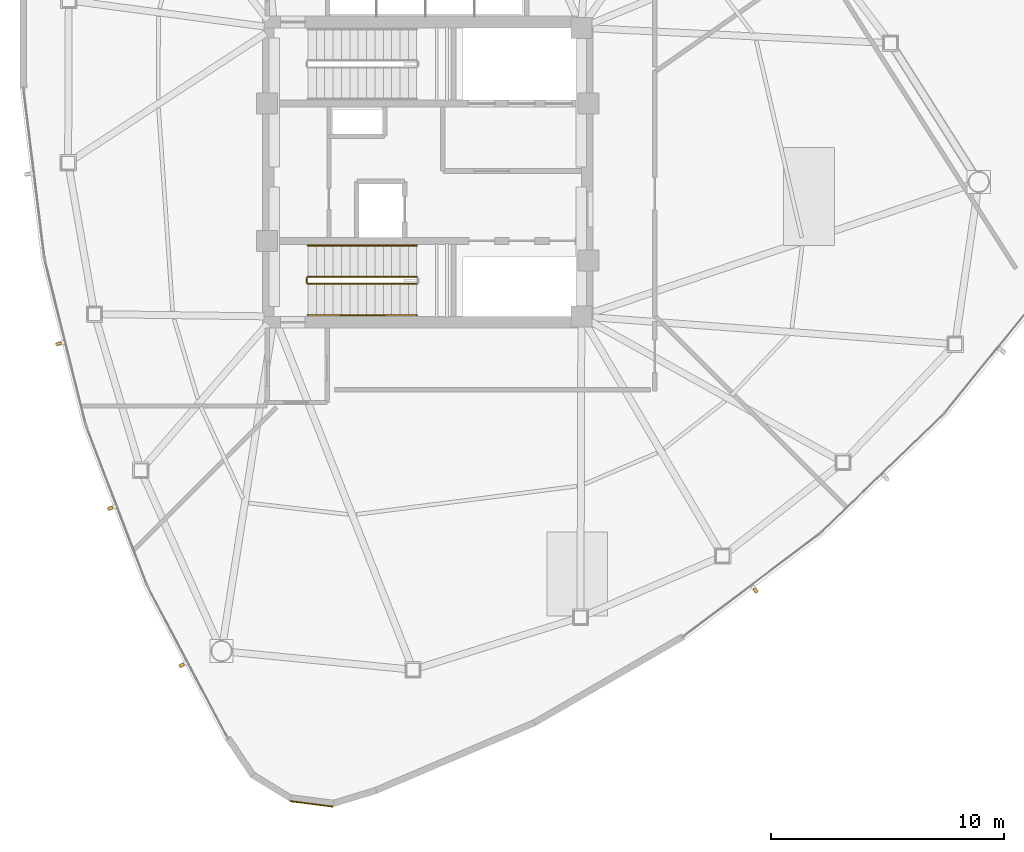
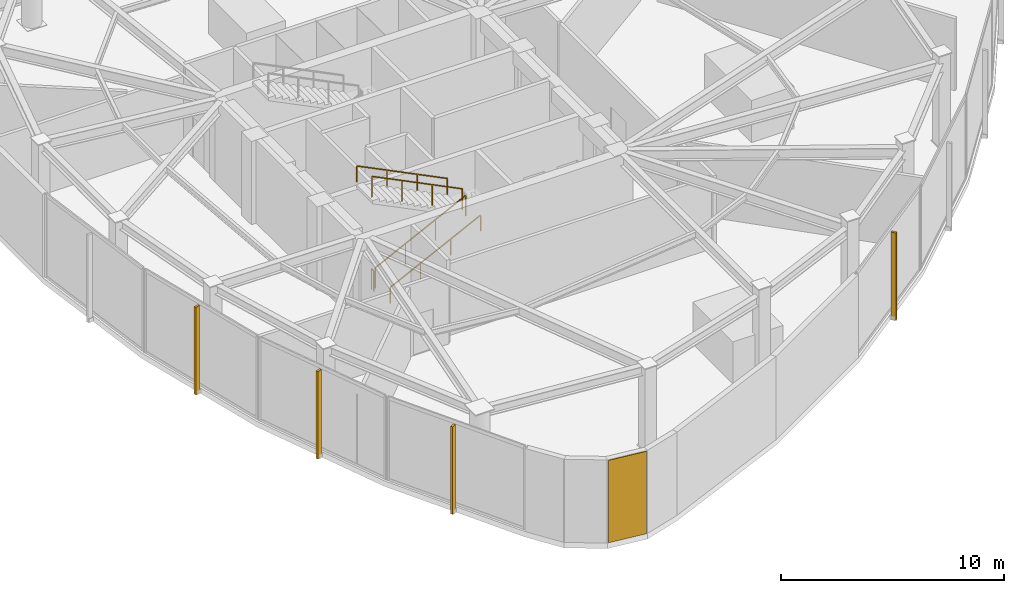
# One storey, part 13 of 17: 5 railings, 4 shading devices, 1 covering.
"""IFC4 building model written with IfcOpenShell, lengths in metres."""

import ifcopenshell
import ifcopenshell.guid

model = None  # the IFC model being written
_history = None  # IfcOwnerHistory: only IFC2X3 demands one
_inside = {}  # id of a spatial element -> (the spatial element, [elements in it])
_under = {}  # id of a project, library or spatial element -> (it, [spatial elements below it])
_declared = {}  # id of a project -> (the project, [libraries it declares])
_typed = {}  # id of a type object -> (the type object, [elements of that type])
_made_of = {}  # id of a material, layer set ... -> (it, [elements and type objects made of it])


def new_model(schema):
    """Start an empty IFC model of exactly this schema.

    Asked for "IFC4X3", IfcOpenShell would pick the latest addendum, in which some entities
    have other attributes; the version numbers below select the first issue.
    IFC2X3 requires an IfcOwnerHistory on every rooted entity: one is made here for all.
    """
    global model, _history
    if schema == "IFC4X3":
        model = ifcopenshell.file(schema_version=(4, 3, 0, 0))
    else:
        model = ifcopenshell.file(schema=schema)
    _inside.clear()
    _under.clear()
    _declared.clear()
    _typed.clear()
    _made_of.clear()
    _history = None
    if model.schema == "IFC2X3":
        org = make("IfcOrganization", Name="unknown")
        user = make(
            "IfcPersonAndOrganization",
            ThePerson=make("IfcPerson", FamilyName="unknown"),
            TheOrganization=org,
        )
        app = make(
            "IfcApplication",
            ApplicationDeveloper=org,
            Version="unknown",
            ApplicationFullName="unknown",
            ApplicationIdentifier="unknown",
        )
        _history = make(
            "IfcOwnerHistory",
            OwningUser=user,
            OwningApplication=app,
            ChangeAction="ADDED",
            CreationDate=0,
        )
    return model


def make(cls, **values):
    """One entity of the class cls with the attributes given. An attribute that is None is left unset."""
    return model.create_entity(
        cls, **{name: value for name, value in values.items() if value is not None}
    )


def rooted(cls, **values):
    """An entity with a GlobalId (a new one), such as an element, a storey or a relation."""
    return make(cls, GlobalId=ifcopenshell.guid.new(), OwnerHistory=_history, **values)


def si_unit(unit_type, name, prefix=None):
    """IfcSIUnit, for example si_unit("LENGTHUNIT", "METRE", prefix="MILLI")."""
    return make("IfcSIUnit", UnitType=unit_type, Prefix=prefix, Name=name)


def assignment(units):
    """IfcUnitAssignment: the units of a project."""
    return None if units is None else make("IfcUnitAssignment", Units=units)


def point(xyz):
    """IfcCartesianPoint."""
    return None if xyz is None else make("IfcCartesianPoint", Coordinates=xyz)


def direction(xyz):
    """IfcDirection."""
    return None if xyz is None else make("IfcDirection", DirectionRatios=xyz)


def frame(location, z_axis=None, x_axis=None):
    """IfcAxis2Placement3D, a coordinate frame: its origin and axes. An axis left out is left unset."""
    return make(
        "IfcAxis2Placement3D",
        Location=point(location),
        Axis=direction(z_axis),
        RefDirection=direction(x_axis),
    )


def frame_2d(location, x_axis=None):
    """IfcAxis2Placement2D, a coordinate frame in the plane: its origin and x axis."""
    return make(
        "IfcAxis2Placement2D", Location=point(location), RefDirection=direction(x_axis)
    )


def origin():
    """The frame at (0, 0, 0) with its axes left unset."""
    return frame((0.0, 0.0, 0.0))


def origin_2d():
    """The frame at (0, 0) in the plane with its x axis left unset."""
    return frame_2d((0.0, 0.0))


def place(relative_to, where):
    """IfcLocalPlacement: puts the frame where relative to a parent placement (None: the world)."""
    return make(
        "IfcLocalPlacement", PlacementRelTo=relative_to, RelativePlacement=where
    )


def context(
    kind, dimensions, precision=None, world=None, true_north=None, identifier=None
):
    """IfcGeometricRepresentationContext, for example the 3D "Model" context."""
    return make(
        "IfcGeometricRepresentationContext",
        ContextIdentifier=identifier,
        ContextType=kind,
        CoordinateSpaceDimension=dimensions,
        Precision=precision,
        WorldCoordinateSystem=world,
        TrueNorth=true_north,
    )


def subcontext(parent, identifier, kind, view, scale=None):
    """IfcGeometricRepresentationSubContext, for example "Body" below "Model"."""
    return make(
        "IfcGeometricRepresentationSubContext",
        ContextIdentifier=identifier,
        ContextType=kind,
        ParentContext=parent,
        TargetScale=scale,
        TargetView=view,
    )


def project(units=None, contexts=None):
    """IfcProject with its units and contexts."""
    return rooted(
        "IfcProject",
        Name="project",
        RepresentationContexts=contexts,
        UnitsInContext=assignment(units),
    )


def spatial(cls, under=None, at=None, **own):
    """A site, building, storey or space (cls), placed at a placement, below another one or the project."""
    s = rooted(cls, ObjectPlacement=at, **own)
    if under is not None:
        _under.setdefault(under.id(), (under, []))[1].append(s)
    return s


def profile(cls, at=None, kind="AREA", **sizes):
    """A parametric profile (cls). Its sizes go by their IFC names, for example OverallWidth=200.0."""
    return make(cls, ProfileType=kind, Position=at, **sizes)


def rectangle(**sizes):
    """IfcRectangleProfileDef."""
    return profile("IfcRectangleProfileDef", **sizes)


def extrude(swept, where, along, depth):
    """IfcExtrudedAreaSolid: the profile swept, set in the frame where, extruded along a direction by depth."""
    return make(
        "IfcExtrudedAreaSolid",
        SweptArea=swept,
        Position=where,
        ExtrudedDirection=direction(along),
        Depth=depth,
    )


def shape(context_of_items, identifier, shape_type, items):
    """IfcShapeRepresentation: the items that make up one representation, for example the "Body"."""
    return make(
        "IfcShapeRepresentation",
        ContextOfItems=context_of_items,
        RepresentationIdentifier=identifier,
        RepresentationType=shape_type,
        Items=items,
    )


def source(mapping_origin, context_of_items, identifier, shape_type, items):
    """IfcRepresentationMap: a shape defined once, which mapped items show again and again."""
    return make(
        "IfcRepresentationMap",
        MappingOrigin=mapping_origin,
        MappedRepresentation=shape(context_of_items, identifier, shape_type, items),
    )


def transform(
    local_origin,
    x_axis=None,
    y_axis=None,
    z_axis=None,
    scale=None,
    scale2=None,
    scale3=None,
    uniform=True,
):
    """IfcCartesianTransformationOperator3D, or its non-uniform kind. x_axis, y_axis, z_axis: its Axis1, 2, 3."""
    if uniform:
        return make(
            "IfcCartesianTransformationOperator3D",
            Axis1=direction(x_axis),
            Axis2=direction(y_axis),
            LocalOrigin=point(local_origin),
            Scale=scale,
            Axis3=direction(z_axis),
        )
    return make(
        "IfcCartesianTransformationOperator3DnonUniform",
        Axis1=direction(x_axis),
        Axis2=direction(y_axis),
        LocalOrigin=point(local_origin),
        Scale=scale,
        Axis3=direction(z_axis),
        Scale2=scale2,
        Scale3=scale3,
    )


def mapped(mapping_source, mapping_target):
    """IfcMappedItem: shows the shape of a source again, moved by a transform."""
    return make(
        "IfcMappedItem", MappingSource=mapping_source, MappingTarget=mapping_target
    )


def material(Name=None, Category=None):
    """IfcMaterial."""
    return make("IfcMaterial", Name=Name, Category=Category)


def layer(
    of_material, thickness, ventilated=None, Name=None, Category=None, Priority=None
):
    """IfcMaterialLayer: one layer of a wall or slab, of a material (None: an air gap)."""
    return make(
        "IfcMaterialLayer",
        Material=of_material,
        LayerThickness=thickness,
        IsVentilated=ventilated,
        Name=Name,
        Category=Category,
        Priority=Priority,
    )


def layer_set(layers, Name=None):
    """IfcMaterialLayerSet."""
    return make("IfcMaterialLayerSet", MaterialLayers=layers, LayerSetName=Name)


def made_of(thing, what):
    """Note that an element or type object is made of a material, layer set ...; save() writes the relation."""
    if what is not None:
        _made_of.setdefault(what.id(), (what, []))[1].append(thing)
    return thing


def type_object(cls, material=None, **own):
    """A type object (cls), such as IfcWallType, which elements share."""
    return made_of(rooted(cls, **own), material)


def type_shapes(of_type, sources):
    """Give a type object the sources (RepresentationMaps) that its elements show as mapped items."""
    of_type.RepresentationMaps = sources


def element(
    cls,
    number,
    at=None,
    inside=None,
    cuts=None,
    type_object=None,
    material=None,
    context=None,
    identifier="Body",
    shape_type=None,
    held_by="IfcProductDefinitionShape",
    body=None,
    shapes=None,
    **own,
):
    """One element of the class cls, such as IfcWall. Its Tag is "e" and its number.

    at: its placement. inside: the storey or other place that contains it. cuts: it is an
    opening in that element (IfcRelVoidsElement). A single representation is given by context,
    identifier, shape_type and body (its items); several are given by shapes. held_by: the class
    of the entity that holds the representations. save() writes the other relations.
    """
    e = rooted(cls, Tag="e%d" % number, ObjectPlacement=at, **own)
    if body is not None:
        shapes = [shape(context, identifier, shape_type, body)]
    if shapes is not None:
        e.Representation = make(held_by, Representations=shapes)
    if inside is not None:
        _inside.setdefault(inside.id(), (inside, []))[1].append(e)
    if cuts is not None:
        rooted(
            "IfcRelVoidsElement", RelatingBuildingElement=cuts, RelatedOpeningElement=e
        )
    if type_object is not None:
        _typed.setdefault(type_object.id(), (type_object, []))[1].append(e)
    return made_of(e, material)


def aggregate(whole, parts):
    """IfcRelAggregates: a whole, such as a stair, and the parts it consists of."""
    return rooted("IfcRelAggregates", RelatingObject=whole, RelatedObjects=parts)


def save(model, path):
    """Write the relations noted so far, then the file.

    IfcRelAggregates (storeys below a building ...), IfcRelContainedInSpatialStructure (elements
    in a storey), IfcRelDefinesByType, IfcRelAssociatesMaterial and IfcRelDeclares: one each for
    every whole, place, type object, material and project.
    """
    for whole, parts in _under.values():
        aggregate(whole, parts)
    for where, things in _inside.values():
        rooted(
            "IfcRelContainedInSpatialStructure",
            RelatedElements=things,
            RelatingStructure=where,
        )
    for kind, things in _typed.values():
        rooted("IfcRelDefinesByType", RelatedObjects=things, RelatingType=kind)
    for what, things in _made_of.values():
        rooted("IfcRelAssociatesMaterial", RelatedObjects=things, RelatingMaterial=what)
    for by, libraries in _declared.values():
        rooted("IfcRelDeclares", RelatingContext=by, RelatedDefinitions=libraries)
    model.write(path)


model = new_model("IFC4")

# Units and contexts
model_context = context("Model", 3, precision=1e-05, world=origin(), true_north=direction((0.0, 1.0)))
body_context = subcontext(model_context, "Body", "Model", "MODEL_VIEW")
ifc_project = project(units=[si_unit("LENGTHUNIT", "METRE"), si_unit("AREAUNIT", "SQUARE_METRE"), si_unit("VOLUMEUNIT", "CUBIC_METRE"), si_unit("PLANEANGLEUNIT", "RADIAN"), si_unit("MASSUNIT", "GRAM", prefix="KILO")], contexts=[model_context])

# Site, building, storey
site_placement = place(None, origin())
site = spatial("IfcSite", under=ifc_project, at=site_placement, CompositionType="ELEMENT")
building_placement = place(site_placement, origin())
building = spatial("IfcBuilding", under=site, at=building_placement, Name="Tavelor Broadcast Tower", CompositionType="ELEMENT")
storey_placement = place(building_placement, frame((0.0, 0.0, 204.14990234375)))
storey = spatial("IfcBuildingStorey", under=building, at=storey_placement, Name="L49", CompositionType="ELEMENT", Elevation=204.14990234375)

# Covering
ifc_material_1 = material(Name="Copper-Bronze Anodized Aluminium", Category="aluminium")
ifc_layer = layer(ifc_material_1, 0.050048828125)
ifc_layer_set = layer_set([ifc_layer], Name="Copper-Bronze Anodized Aluminium")
covering_type = type_object("IfcCoveringType", Name="Champagne-Bronze Corner Pier Metal Cladding 50 mm", PredefinedType="CLADDING", material=ifc_layer_set)
covering_placement = place(storey_placement, frame((44.99658203125, 17.85693359375, 0.02001953125), z_axis=(0.0, 0.0, 1.0), x_axis=(0.99178318013, -0.127930151302, 0.0)))
element("IfcCovering", 1, at=covering_placement, inside=storey, type_object=covering_type, Name="L49 Champagne-Bronze Corner Cladding 13", PredefinedType="CLADDING", context=body_context, shape_type="SweptSolid", body=[
    extrude(rectangle(XDim=1.844970703125, YDim=0.050048828125, at=origin_2d()), origin(), (0.0, 0.0, 1.0), 4.510009765625),
])

# Railings
ifc_material_2 = material(Name="Steel S355", Category="steel")
railing_type_1 = type_object("IfcRailingType", Name="Continuous Brushed Stainless Handrail 900 mm", PredefinedType="HANDRAIL", material=ifc_material_2)
railing_1_placement = place(storey_placement, frame((44.85009765625, 38.85009765625, 0.1787109375)))
element("IfcRailing", 2, at=railing_1_placement, inside=storey, type_object=railing_type_1, Name="L49 ST2 stair handrail 1", PredefinedType="HANDRAIL", context=body_context, shape_type="SweptSolid", body=[
    extrude(rectangle(XDim=0.048095703125, YDim=0.048095703125, at=origin_2d()), frame((0.0, 0.0, 0.8759765625), z_axis=(0.89585269218, 0.0, 0.444351160585), x_axis=(0.0, 1.0, 0.0)), (0.0, 0.0, 1.0), 5.223876953125),
    extrude(rectangle(XDim=0.0419921875, YDim=0.0419921875, at=origin_2d()), origin(), (0.0, 0.0, 1.0), 0.851806640625),
    extrude(rectangle(XDim=0.0419921875, YDim=0.0419921875, at=origin_2d()), frame((1.56005859375, 0.0, 0.773681640625)), (0.0, 0.0, 1.0), 0.851806640625),
    extrude(rectangle(XDim=0.0419921875, YDim=0.0419921875, at=origin_2d()), frame((3.119873046875, 0.0, 1.547607421875)), (0.0, 0.0, 1.0), 0.851806640625),
    extrude(rectangle(XDim=0.0419921875, YDim=0.0419921875, at=origin_2d()), frame((4.679931640625, 0.0, 2.3212890625)), (0.0, 0.0, 1.0), 0.851806640625),
])
railing_2_placement = place(storey_placement, frame((49.530029296875, 41.85009765625, 2.6787109375)))
element("IfcRailing", 3, at=railing_2_placement, inside=storey, type_object=railing_type_1, Name="L49 ST2 stair handrail 2", PredefinedType="HANDRAIL", context=body_context, shape_type="SweptSolid", body=[
    extrude(rectangle(XDim=0.048095703125, YDim=0.048095703125, at=origin_2d()), frame((0.0, 0.0, 0.8759765625), z_axis=(-0.89585269218, 0.0, 0.444351160585), x_axis=(0.0, -1.0, 0.0)), (0.0, 0.0, 1.0), 5.223876953125),
    extrude(rectangle(XDim=0.0419921875, YDim=0.0419921875, at=origin_2d()), origin(), (0.0, 0.0, 1.0), 0.851806640625),
    extrude(rectangle(XDim=0.0419921875, YDim=0.0419921875, at=origin_2d()), frame((-1.56005859375, 0.0, 0.773681640625)), (0.0, 0.0, 1.0), 0.851806640625),
    extrude(rectangle(XDim=0.0419921875, YDim=0.0419921875, at=origin_2d()), frame((-3.119873046875, 0.0, 1.547607421875)), (0.0, 0.0, 1.0), 0.851806640625),
    extrude(rectangle(XDim=0.0419921875, YDim=0.0419921875, at=origin_2d()), frame((-4.679931640625, 0.0, 2.3212890625)), (0.0, 0.0, 1.0), 0.851806640625),
])
railing_type_2 = type_object("IfcRailingType", Name="Stairwell Steel Safety Guardrail 1150 mm", PredefinedType="GUARDRAIL", material=ifc_material_2)
railing_3_placement = place(storey_placement, frame((44.85009765625, 40.199951171875, 0.1787109375)))
element("IfcRailing", 4, at=railing_3_placement, inside=storey, type_object=railing_type_2, Name="L49 ST2 stair guard 1", PredefinedType="GUARDRAIL", context=body_context, shape_type="SweptSolid", body=[
    extrude(rectangle(XDim=0.048095703125, YDim=0.048095703125, at=origin_2d()), frame((0.0, 0.0, 1.1259765625), z_axis=(0.89585269218, 0.0, 0.444351160585), x_axis=(0.0, 1.0, 0.0)), (0.0, 0.0, 1.0), 5.223876953125),
    extrude(rectangle(XDim=0.0419921875, YDim=0.0419921875, at=origin_2d()), origin(), (0.0, 0.0, 1.0), 1.101806640625),
    extrude(rectangle(XDim=0.0419921875, YDim=0.0419921875, at=origin_2d()), frame((1.56005859375, 0.0, 0.773681640625)), (0.0, 0.0, 1.0), 1.101806640625),
    extrude(rectangle(XDim=0.0419921875, YDim=0.0419921875, at=origin_2d()), frame((3.119873046875, 0.0, 1.547607421875)), (0.0, 0.0, 1.0), 1.101806640625),
    extrude(rectangle(XDim=0.0419921875, YDim=0.0419921875, at=origin_2d()), frame((4.679931640625, 0.0, 2.3212890625)), (0.0, 0.0, 1.0), 1.101806640625),
])
railing_4_placement = place(storey_placement, frame((49.530029296875, 40.5, 2.6787109375)))
element("IfcRailing", 5, at=railing_4_placement, inside=storey, type_object=railing_type_2, Name="L49 ST2 stair guard 3", PredefinedType="GUARDRAIL", context=body_context, shape_type="SweptSolid", body=[
    extrude(rectangle(XDim=0.048095703125, YDim=0.048095703125, at=origin_2d()), frame((0.0, 0.0, 1.1259765625), z_axis=(-0.89585269218, 0.0, 0.444351160585), x_axis=(0.0, -1.0, 0.0)), (0.0, 0.0, 1.0), 5.223876953125),
    extrude(rectangle(XDim=0.0419921875, YDim=0.0419921875, at=origin_2d()), origin(), (0.0, 0.0, 1.0), 1.101806640625),
    extrude(rectangle(XDim=0.0419921875, YDim=0.0419921875, at=origin_2d()), frame((-1.56005859375, 0.0, 0.773681640625)), (0.0, 0.0, 1.0), 1.101806640625),
    extrude(rectangle(XDim=0.0419921875, YDim=0.0419921875, at=origin_2d()), frame((-3.119873046875, 0.0, 1.547607421875)), (0.0, 0.0, 1.0), 1.101806640625),
    extrude(rectangle(XDim=0.0419921875, YDim=0.0419921875, at=origin_2d()), frame((-4.679931640625, 0.0, 2.3212890625)), (0.0, 0.0, 1.0), 1.101806640625),
])
railing_5_placement = place(storey_placement, frame((44.800048828125, 40.25, 0.0)))
element("IfcRailing", 6, at=railing_5_placement, inside=storey, type_object=railing_type_2, Name="L49 ST2 stair guard 4", PredefinedType="GUARDRAIL", context=body_context, shape_type="SweptSolid", body=[
    extrude(rectangle(XDim=0.048095703125, YDim=0.048095703125, at=origin_2d()), frame((0.0, 0.0, 1.1259765625), z_axis=(0.0, 1.0, 0.0), x_axis=(-1.0, 0.0, 0.0)), (0.0, 0.0, 1.0), 0.199951171875),
    extrude(rectangle(XDim=0.0419921875, YDim=0.0419921875, at=origin_2d()), origin(), (0.0, 0.0, 1.0), 1.101806640625),
    extrude(rectangle(XDim=0.0419921875, YDim=0.0419921875, at=origin_2d()), frame((0.0, 0.199951171875, 0.0)), (0.0, 0.0, 1.0), 1.101806640625),
])

# Shading devices
ifc_material_3 = material(Name="Kiln-Fired Glazed Terracotta", Category="masonry")
shading_device_type = type_object("IfcShadingDeviceType", Name="Extruded Terracotta Baguette Sun-Screen 110x240", PredefinedType="JALOUSIE", material=ifc_material_3)
shared_shape = source(origin(), body_context, "Body", "SweptSolid", [
    extrude(rectangle(XDim=0.110107421875, YDim=0.239990234375, at=origin_2d()), origin(), (0.0, 0.0, 1.0), 4.7900390625),
])
type_shapes(shading_device_type, [shared_shape])
for number, where, z_axis, x_axis, name in (
    (7, (34.133056640625, 37.624755859375, -0.260009765625), (0.0, 0.0, 1.0), (0.241583183765, -0.970380113833, 0.0), "L49 Terracotta Baguette Fin 518"),
    (8, (36.35498046875, 30.55712890625, -0.260009765625), (0.0, 0.0, 1.0), (0.357227098715, -0.934017558691, 0.0), "L49 Terracotta Baguette Fin 519"),
    (9, (39.41552734375, 23.810302734375, -0.260009765625), (0.0, 0.0, 1.0), (0.467621293358, -0.883928914562, 0.0), "L49 Terracotta Baguette Fin 520"),
    (10, (64.087158203125, 27.017333984375, -0.260009765625), (0.0, 0.0, 1.0), (0.798320290977, 0.602233105213, 0.0), "L49 Terracotta Baguette Fin 521"),
):
    element("IfcShadingDevice", number, at=place(storey_placement, frame(where, z_axis=z_axis, x_axis=x_axis)), inside=storey, type_object=shading_device_type, Name=name, PredefinedType="JALOUSIE", context=body_context, shape_type="MappedRepresentation", body=[
        mapped(shared_shape, transform((0.0, 0.0, 0.0), scale=1.0)),
    ])

save(model, "model.ifc")
